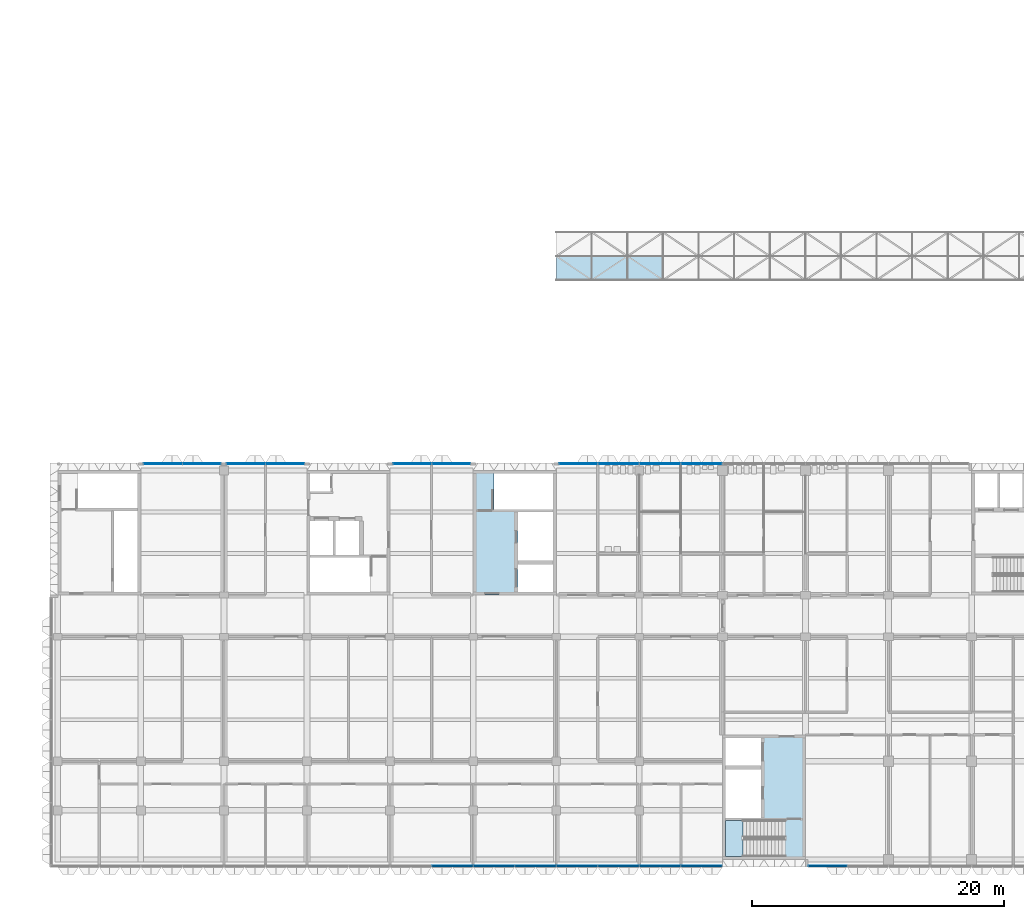
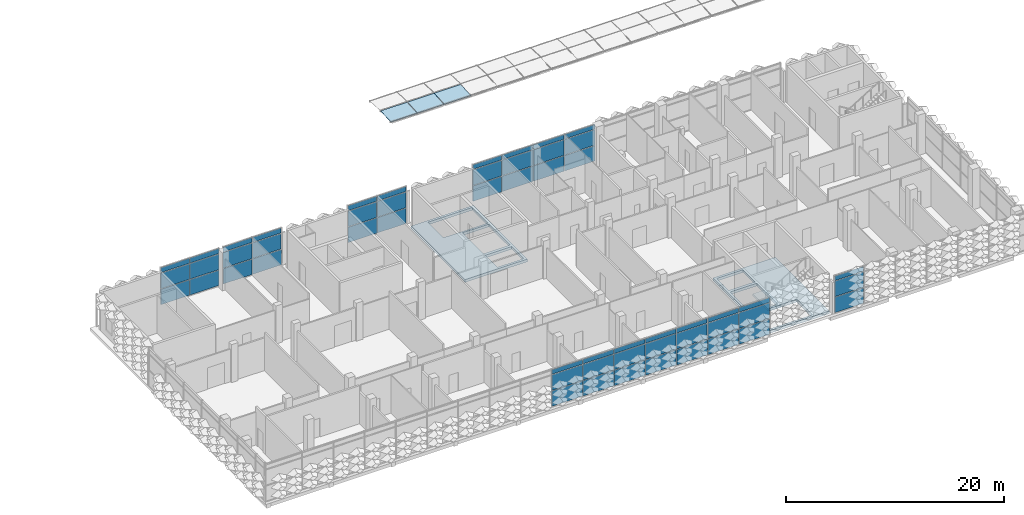
# One storey, part 15 of 61: 57 plates, 3 slabs, 7 elements without a shape of their own.
"""IFC4 building model written with IfcOpenShell, lengths in metres."""

from ifc_helpers import new_model, si_unit, direction, frame, origin, origin_2d, place, context, subcontext, project, spatial, polyline, rectangle, outline, extrude, material, layer, layer_set, type_object, element, aggregate, save


model = new_model("IFC4")

# Units and contexts
model_context = context("Model", 3, precision=1e-05, world=origin(), true_north=direction((0.0, 1.0)))
body_context = subcontext(model_context, "Body", "Model", "MODEL_VIEW")
ifc_project = project(units=[si_unit("LENGTHUNIT", "METRE"), si_unit("AREAUNIT", "SQUARE_METRE"), si_unit("VOLUMEUNIT", "CUBIC_METRE"), si_unit("PLANEANGLEUNIT", "RADIAN"), si_unit("MASSUNIT", "GRAM", prefix="KILO")], contexts=[model_context])

# Site, building, storey
site_placement = place(None, origin())
site = spatial("IfcSite", under=ifc_project, at=site_placement, CompositionType="ELEMENT")
building_placement = place(site_placement, origin())
building = spatial("IfcBuilding", under=site, at=building_placement, Name="Lantern Court Research Institute", CompositionType="ELEMENT")
storey_placement = place(building_placement, frame((0.0, 0.0, 23.39990234375)))
storey = spatial("IfcBuildingStorey", under=building, at=storey_placement, Name="L05", CompositionType="ELEMENT", Elevation=23.39990234375)

# Plates
ifc_material_1 = material(Name="Laminated low-emissivity glass", Category="glass")
ifc_layer_1 = layer(ifc_material_1, 0.035888671875)
ifc_layer_set_1 = layer_set([ifc_layer_1], Name="Laminated low-emissivity glass")
plate_type_1 = type_object("IfcPlateType", Name="Gridshell roof glazing panel 36", PredefinedType="SHEET", material=ifc_layer_set_1)
plate_1_placement = place(storey_placement, frame((42.41845703125, 38.233154296875, 0.140869140625), z_axis=(0.0, -0.050319241088, 0.998733184578), x_axis=(-1.0, 0.0, 0.0)))
element("IfcPlate", 1, at=plate_1_placement, inside=storey, type_object=plate_type_1, Name="Roof glazing panel", PredefinedType="SHEET", context=body_context, shape_type="SweptSolid", body=[
    extrude(outline(polyline([(0.0, 0.0), (2.808349609375, 0.0), (2.808349609375, -1.8825117480404108), (0.0, -1.8825117480404108), (0.0, 0.0)])), origin(), (0.0, 0.0, -1.0), 0.035888671875),
])
for number, where, z_axis, x_axis, name in (
    (2, (45.2470703125, 38.233154296875, 0.140869140625), (0.0, -0.050319241088, 0.998733184578), (-1.0, 0.0, 0.0), "Roof glazing panel"),
    (3, (48.07568359375, 38.233154296875, 0.140869140625), (0.0, -0.050319241088, 0.998733184578), (-1.0, 0.0, 0.0), "Roof glazing panel"),
):
    element("IfcPlate", number, at=place(storey_placement, frame(where, z_axis=z_axis, x_axis=x_axis)), inside=storey, type_object=plate_type_1, Name=name, PredefinedType="SHEET", context=body_context, shape_type="SweptSolid", body=[
        extrude(outline(polyline([(0.0, 0.0), (2.80859375, 0.0), (2.80859375, -1.8825117480404105), (0.0, -1.8825117480404105), (0.0, 0.0)])), origin(), (0.0, 0.0, -1.0), 0.035888671875),
    ])

# Curtain wall, plates
ifc_material_2 = material(Name="Aluminium alloy 6063-T6", Category="aluminium")
curtain_wall_type_1 = type_object("IfcCurtainWallType", Name="Curtain wall 53400 x 4200 x 150 aluminium frame", PredefinedType="NOTDEFINED", material=ifc_material_2)
curtain_wall_1_placement = place(storey_placement, origin())
curtain_wall_1 = element("IfcCurtainWall", 4, at=curtain_wall_1_placement, inside=storey, type_object=curtain_wall_type_1, Name="Curtain wall CW072", PredefinedType="NOTDEFINED")
ifc_material_3 = material(Name="Insulated aluminium spandrel panel", Category="aluminium")
ifc_layer_2 = layer(ifc_material_3, 0.10009765625)
ifc_layer_set_2 = layer_set([ifc_layer_2], Name="Insulated aluminium spandrel panel")
plate_type_2 = type_object("IfcPlateType", Name="Insulated spandrel panel 100 mm for south sun", PredefinedType="CURTAIN_PANEL", material=ifc_layer_set_2)
plate_2_placement = place(storey_placement, frame((31.35009765625, -8.324951171875, 0.06005859375), z_axis=(0.0, 0.0, 1.0), x_axis=(-1.0, 0.0, 0.0)))
plate_2 = element("IfcPlate", 5, at=plate_2_placement, type_object=plate_type_2, Name="CW072 spandrel panel 10.1", PredefinedType="CURTAIN_PANEL", context=body_context, shape_type="SweptSolid", body=[
    extrude(rectangle(XDim=3.239990234375, YDim=0.10009765625, at=origin_2d()), origin(), (0.0, 0.0, 1.0), 1.7099609375),
])
plate_3_placement = place(storey_placement, frame((34.64990234375, -8.324951171875, 0.06005859375), z_axis=(0.0, 0.0, 1.0), x_axis=(-1.0, 0.0, 0.0)))
plate_3 = element("IfcPlate", 6, at=plate_3_placement, type_object=plate_type_2, Name="CW072 spandrel panel 11.1", PredefinedType="CURTAIN_PANEL", context=body_context, shape_type="SweptSolid", body=[
    extrude(rectangle(XDim=3.239990234375, YDim=0.10009765625, at=origin_2d()), origin(), (0.0, 0.0, 1.0), 1.7099609375),
])
plate_4_placement = place(storey_placement, frame((37.949951171875, -8.324951171875, 0.06005859375), z_axis=(0.0, 0.0, 1.0), x_axis=(-1.0, 0.0, 0.0)))
plate_4 = element("IfcPlate", 7, at=plate_4_placement, type_object=plate_type_2, Name="CW072 spandrel panel 12.1", PredefinedType="CURTAIN_PANEL", context=body_context, shape_type="SweptSolid", body=[
    extrude(rectangle(XDim=3.239990234375, YDim=0.10009765625, at=origin_2d()), origin(), (0.0, 0.0, 1.0), 1.7099609375),
])
plate_5_placement = place(storey_placement, frame((41.25, -8.324951171875, 0.06005859375), z_axis=(0.0, 0.0, 1.0), x_axis=(-1.0, 0.0, 0.0)))
plate_5 = element("IfcPlate", 8, at=plate_5_placement, type_object=plate_type_2, Name="CW072 spandrel panel 13.1", PredefinedType="CURTAIN_PANEL", context=body_context, shape_type="SweptSolid", body=[
    extrude(rectangle(XDim=3.239990234375, YDim=0.10009765625, at=origin_2d()), origin(), (0.0, 0.0, 1.0), 1.7099609375),
])
plate_6_placement = place(storey_placement, frame((44.550048828125, -8.324951171875, 0.06005859375), z_axis=(0.0, 0.0, 1.0), x_axis=(-1.0, 0.0, 0.0)))
plate_6 = element("IfcPlate", 9, at=plate_6_placement, type_object=plate_type_2, Name="CW072 spandrel panel 14.1", PredefinedType="CURTAIN_PANEL", context=body_context, shape_type="SweptSolid", body=[
    extrude(rectangle(XDim=3.239990234375, YDim=0.10009765625, at=origin_2d()), origin(), (0.0, 0.0, 1.0), 1.7099609375),
])
plate_7_placement = place(storey_placement, frame((47.85009765625, -8.324951171875, 0.06005859375), z_axis=(0.0, 0.0, 1.0), x_axis=(-1.0, 0.0, 0.0)))
plate_7 = element("IfcPlate", 10, at=plate_7_placement, type_object=plate_type_2, Name="CW072 spandrel panel 15.1", PredefinedType="CURTAIN_PANEL", context=body_context, shape_type="SweptSolid", body=[
    extrude(rectangle(XDim=3.239990234375, YDim=0.10009765625, at=origin_2d()), origin(), (0.0, 0.0, 1.0), 1.7099609375),
])
plate_8_placement = place(storey_placement, frame((51.135009765625, -8.324951171875, 0.06005859375), z_axis=(0.0, 0.0, 1.0), x_axis=(-1.0, 0.0, 0.0)))
plate_8 = element("IfcPlate", 11, at=plate_8_placement, type_object=plate_type_2, Name="CW072 spandrel panel 16.1", PredefinedType="CURTAIN_PANEL", context=body_context, shape_type="SweptSolid", body=[
    extrude(rectangle(XDim=3.2099609375, YDim=0.10009765625, at=origin_2d()), origin(), (0.0, 0.0, 1.0), 1.7099609375),
])

# Curtain wall, plate
ifc_material_4 = material(Name="Aluminium alloy 6063-T6", Category="aluminium")
curtain_wall_type_2 = type_object("IfcCurtainWallType", Name="Curtain wall 20200 x 4200 x 150 aluminium frame", PredefinedType="NOTDEFINED", material=ifc_material_4)
curtain_wall_2_placement = place(storey_placement, origin())
curtain_wall_2 = element("IfcCurtainWall", 12, at=curtain_wall_2_placement, inside=storey, type_object=curtain_wall_type_2, Name="Curtain wall CW076", PredefinedType="NOTDEFINED")
plate_9_placement = place(storey_placement, frame((61.1650390625, -8.324951171875, 0.06005859375), z_axis=(0.0, 0.0, 1.0), x_axis=(-1.0, 0.0, 0.0)))
plate_9 = element("IfcPlate", 13, at=plate_9_placement, type_object=plate_type_2, Name="CW076 spandrel panel 1.1", PredefinedType="CURTAIN_PANEL", context=body_context, shape_type="SweptSolid", body=[
    extrude(rectangle(XDim=3.010009765625, YDim=0.10009765625, at=origin_2d()), origin(), (0.0, 0.0, 1.0), 1.7099609375),
])

# Curtain wall, plates
ifc_material_5 = material(Name="Aluminium alloy 6063-T6", Category="aluminium")
curtain_wall_type_3 = type_object("IfcCurtainWallType", Name="Curtain wall 6250 x 4250 x 150 aluminium frame", PredefinedType="NOTDEFINED", material=ifc_material_5)
curtain_wall_3_placement = place(storey_placement, origin())
curtain_wall_3 = element("IfcCurtainWall", 14, at=curtain_wall_3_placement, inside=storey, type_object=curtain_wall_type_3, Name="Curtain wall CW068", PredefinedType="NOTDEFINED")
ifc_material_6 = material(Name="Insulated aluminium spandrel panel", Category="aluminium")
ifc_layer_3 = layer(ifc_material_6, 0.06005859375)
ifc_layer_set_3 = layer_set([ifc_layer_3], Name="Insulated aluminium spandrel panel")
plate_type_3 = type_object("IfcPlateType", Name="Insulated spandrel panel 60 mm", PredefinedType="CURTAIN_PANEL", material=ifc_layer_set_3)
plate_10_placement = place(storey_placement, frame((8.3525390625, 23.625, 0.06005859375), z_axis=(0.0, 0.0, 1.0), x_axis=(1.0, 0.0, 0.0)))
plate_10 = element("IfcPlate", 15, at=plate_10_placement, type_object=plate_type_3, Name="CW068 spandrel panel 1.1", PredefinedType="CURTAIN_PANEL", context=body_context, shape_type="SweptSolid", body=[
    extrude(rectangle(XDim=3.034912109375, YDim=0.06005859375, at=origin_2d()), origin(), (0.0, 0.0, 1.0), 1.7099609375),
])
plate_11_placement = place(storey_placement, frame((11.447509765625, 23.625, 0.06005859375), z_axis=(0.0, 0.0, 1.0), x_axis=(1.0, 0.0, 0.0)))
plate_11 = element("IfcPlate", 16, at=plate_11_placement, type_object=plate_type_3, Name="CW068 spandrel panel 2.1", PredefinedType="CURTAIN_PANEL", context=body_context, shape_type="SweptSolid", body=[
    extrude(rectangle(XDim=3.034912109375, YDim=0.06005859375, at=origin_2d()), origin(), (0.0, 0.0, 1.0), 1.7099609375),
])

curtain_wall_4_placement = place(storey_placement, origin())
curtain_wall_4 = element("IfcCurtainWall", 17, at=curtain_wall_4_placement, inside=storey, type_object=curtain_wall_type_3, Name="Curtain wall CW069", PredefinedType="NOTDEFINED")
plate_12_placement = place(storey_placement, frame((14.952392578125, 23.625, 0.06005859375), z_axis=(0.0, 0.0, 1.0), x_axis=(1.0, 0.0, 0.0)))
plate_12 = element("IfcPlate", 18, at=plate_12_placement, type_object=plate_type_3, Name="CW069 spandrel panel 1.1", PredefinedType="CURTAIN_PANEL", context=body_context, shape_type="SweptSolid", body=[
    extrude(rectangle(XDim=3.034912109375, YDim=0.06005859375, at=origin_2d()), origin(), (0.0, 0.0, 1.0), 1.7099609375),
])
plate_13_placement = place(storey_placement, frame((18.047607421875, 23.625, 0.06005859375), z_axis=(0.0, 0.0, 1.0), x_axis=(1.0, 0.0, 0.0)))
plate_13 = element("IfcPlate", 19, at=plate_13_placement, type_object=plate_type_3, Name="CW069 spandrel panel 2.1", PredefinedType="CURTAIN_PANEL", context=body_context, shape_type="SweptSolid", body=[
    extrude(rectangle(XDim=3.034912109375, YDim=0.06005859375, at=origin_2d()), origin(), (0.0, 0.0, 1.0), 1.7099609375),
])

curtain_wall_5_placement = place(storey_placement, origin())
curtain_wall_5 = element("IfcCurtainWall", 20, at=curtain_wall_5_placement, inside=storey, type_object=curtain_wall_type_3, Name="Curtain wall CW070", PredefinedType="NOTDEFINED")
plate_14_placement = place(storey_placement, frame((28.152587890625, 23.625, 0.06005859375), z_axis=(0.0, 0.0, 1.0), x_axis=(1.0, 0.0, 0.0)))
plate_14 = element("IfcPlate", 21, at=plate_14_placement, type_object=plate_type_3, Name="CW070 spandrel panel 1.1", PredefinedType="CURTAIN_PANEL", context=body_context, shape_type="SweptSolid", body=[
    extrude(rectangle(XDim=3.034912109375, YDim=0.06005859375, at=origin_2d()), origin(), (0.0, 0.0, 1.0), 1.7099609375),
])
plate_15_placement = place(storey_placement, frame((31.24755859375, 23.625, 0.06005859375), z_axis=(0.0, 0.0, 1.0), x_axis=(1.0, 0.0, 0.0)))
plate_15 = element("IfcPlate", 22, at=plate_15_placement, type_object=plate_type_3, Name="CW070 spandrel panel 2.1", PredefinedType="CURTAIN_PANEL", context=body_context, shape_type="SweptSolid", body=[
    extrude(rectangle(XDim=3.034912109375, YDim=0.06005859375, at=origin_2d()), origin(), (0.0, 0.0, 1.0), 1.7099609375),
])

ifc_material_7 = material(Name="Aluminium alloy 6063-T6", Category="aluminium")
curtain_wall_type_4 = type_object("IfcCurtainWallType", Name="Curtain wall 13025 x 4200 x 150 aluminium frame", PredefinedType="NOTDEFINED", material=ifc_material_7)
curtain_wall_6_placement = place(storey_placement, origin())
curtain_wall_6 = element("IfcCurtainWall", 23, at=curtain_wall_6_placement, inside=storey, type_object=curtain_wall_type_4, Name="Curtain wall CW071", PredefinedType="NOTDEFINED")
plate_16_placement = place(storey_placement, frame((41.3525390625, 23.625, 0.06005859375), z_axis=(0.0, 0.0, 1.0), x_axis=(1.0, 0.0, 0.0)))
plate_16 = element("IfcPlate", 24, at=plate_16_placement, type_object=plate_type_3, Name="CW071 spandrel panel 1.1", PredefinedType="CURTAIN_PANEL", context=body_context, shape_type="SweptSolid", body=[
    extrude(rectangle(XDim=3.034912109375, YDim=0.06005859375, at=origin_2d()), origin(), (0.0, 0.0, 1.0), 1.7099609375),
])
plate_17_placement = place(storey_placement, frame((44.550048828125, 23.625, 0.06005859375), z_axis=(0.0, 0.0, 1.0), x_axis=(1.0, 0.0, 0.0)))
plate_17 = element("IfcPlate", 25, at=plate_17_placement, type_object=plate_type_3, Name="CW071 spandrel panel 2.1", PredefinedType="CURTAIN_PANEL", context=body_context, shape_type="SweptSolid", body=[
    extrude(rectangle(XDim=3.239990234375, YDim=0.06005859375, at=origin_2d()), origin(), (0.0, 0.0, 1.0), 1.7099609375),
])
plate_18_placement = place(storey_placement, frame((47.85009765625, 23.625, 0.06005859375), z_axis=(0.0, 0.0, 1.0), x_axis=(1.0, 0.0, 0.0)))
plate_18 = element("IfcPlate", 26, at=plate_18_placement, type_object=plate_type_3, Name="CW071 spandrel panel 3.1", PredefinedType="CURTAIN_PANEL", context=body_context, shape_type="SweptSolid", body=[
    extrude(rectangle(XDim=3.239990234375, YDim=0.06005859375, at=origin_2d()), origin(), (0.0, 0.0, 1.0), 1.7099609375),
])
plate_19_placement = place(storey_placement, frame((51.135009765625, 23.625, 0.06005859375), z_axis=(0.0, 0.0, 1.0), x_axis=(1.0, 0.0, 0.0)))
plate_19 = element("IfcPlate", 27, at=plate_19_placement, type_object=plate_type_3, Name="CW071 spandrel panel 4.1", PredefinedType="CURTAIN_PANEL", context=body_context, shape_type="SweptSolid", body=[
    extrude(rectangle(XDim=3.2099609375, YDim=0.06005859375, at=origin_2d()), origin(), (0.0, 0.0, 1.0), 1.7099609375),
])

# Plate
ifc_material_8 = material(Name="Laminated low-emissivity glass", Category="glass")
ifc_layer_4 = layer(ifc_material_8, 0.028076171875)
ifc_layer_set_4 = layer_set([ifc_layer_4], Name="Laminated low-emissivity glass")
plate_type_4 = type_object("IfcPlateType", Name="Laminated low-emissivity unit 28 mm", PredefinedType="CURTAIN_PANEL", material=ifc_layer_set_4)
plate_20_placement = place(storey_placement, frame((8.3525390625, 23.625, 1.830078125), z_axis=(0.0, 0.0, 1.0), x_axis=(1.0, 0.0, 0.0)))
plate_20 = element("IfcPlate", 28, at=plate_20_placement, type_object=plate_type_4, Name="CW068 glazed panel 1.2", PredefinedType="CURTAIN_PANEL", context=body_context, shape_type="SweptSolid", body=[
    extrude(rectangle(XDim=3.034912109375, YDim=0.028076171875, at=origin_2d()), origin(), (0.0, 0.0, 1.0), 1.739990234375),
])

plate_21_placement = place(storey_placement, frame((8.3525390625, 23.625, 3.630126953125), z_axis=(0.0, 0.0, 1.0), x_axis=(1.0, 0.0, 0.0)))
plate_21 = element("IfcPlate", 29, at=plate_21_placement, type_object=plate_type_4, Name="CW068 glazed panel 1.3", PredefinedType="CURTAIN_PANEL", context=body_context, shape_type="SweptSolid", body=[
    extrude(rectangle(XDim=3.034912109375, YDim=0.028076171875, at=origin_2d()), origin(), (0.0, 0.0, 1.0), 0.56005859375),
])

plate_22_placement = place(storey_placement, frame((11.447509765625, 23.625, 1.830078125), z_axis=(0.0, 0.0, 1.0), x_axis=(1.0, 0.0, 0.0)))
plate_22 = element("IfcPlate", 30, at=plate_22_placement, type_object=plate_type_4, Name="CW068 glazed panel 2.2", PredefinedType="CURTAIN_PANEL", context=body_context, shape_type="SweptSolid", body=[
    extrude(rectangle(XDim=3.034912109375, YDim=0.028076171875, at=origin_2d()), origin(), (0.0, 0.0, 1.0), 1.739990234375),
])

plate_23_placement = place(storey_placement, frame((11.447509765625, 23.625, 3.630126953125), z_axis=(0.0, 0.0, 1.0), x_axis=(1.0, 0.0, 0.0)))
plate_23 = element("IfcPlate", 31, at=plate_23_placement, type_object=plate_type_4, Name="CW068 glazed panel 2.3", PredefinedType="CURTAIN_PANEL", context=body_context, shape_type="SweptSolid", body=[
    extrude(rectangle(XDim=3.034912109375, YDim=0.028076171875, at=origin_2d()), origin(), (0.0, 0.0, 1.0), 0.56005859375),
])

aggregate(curtain_wall_3, [plate_10, plate_20, plate_21, plate_11, plate_22, plate_23])

plate_24_placement = place(storey_placement, frame((14.952392578125, 23.625, 1.830078125), z_axis=(0.0, 0.0, 1.0), x_axis=(1.0, 0.0, 0.0)))
plate_24 = element("IfcPlate", 32, at=plate_24_placement, type_object=plate_type_4, Name="CW069 glazed panel 1.2", PredefinedType="CURTAIN_PANEL", context=body_context, shape_type="SweptSolid", body=[
    extrude(rectangle(XDim=3.034912109375, YDim=0.028076171875, at=origin_2d()), origin(), (0.0, 0.0, 1.0), 1.739990234375),
])

plate_25_placement = place(storey_placement, frame((14.952392578125, 23.625, 3.630126953125), z_axis=(0.0, 0.0, 1.0), x_axis=(1.0, 0.0, 0.0)))
plate_25 = element("IfcPlate", 33, at=plate_25_placement, type_object=plate_type_4, Name="CW069 glazed panel 1.3", PredefinedType="CURTAIN_PANEL", context=body_context, shape_type="SweptSolid", body=[
    extrude(rectangle(XDim=3.034912109375, YDim=0.028076171875, at=origin_2d()), origin(), (0.0, 0.0, 1.0), 0.56005859375),
])

plate_26_placement = place(storey_placement, frame((18.047607421875, 23.625, 1.830078125), z_axis=(0.0, 0.0, 1.0), x_axis=(1.0, 0.0, 0.0)))
plate_26 = element("IfcPlate", 34, at=plate_26_placement, type_object=plate_type_4, Name="CW069 glazed panel 2.2", PredefinedType="CURTAIN_PANEL", context=body_context, shape_type="SweptSolid", body=[
    extrude(rectangle(XDim=3.034912109375, YDim=0.028076171875, at=origin_2d()), origin(), (0.0, 0.0, 1.0), 1.739990234375),
])

plate_27_placement = place(storey_placement, frame((18.047607421875, 23.625, 3.630126953125), z_axis=(0.0, 0.0, 1.0), x_axis=(1.0, 0.0, 0.0)))
plate_27 = element("IfcPlate", 35, at=plate_27_placement, type_object=plate_type_4, Name="CW069 glazed panel 2.3", PredefinedType="CURTAIN_PANEL", context=body_context, shape_type="SweptSolid", body=[
    extrude(rectangle(XDim=3.034912109375, YDim=0.028076171875, at=origin_2d()), origin(), (0.0, 0.0, 1.0), 0.56005859375),
])

aggregate(curtain_wall_4, [plate_12, plate_24, plate_25, plate_13, plate_26, plate_27])

plate_28_placement = place(storey_placement, frame((28.152587890625, 23.625, 1.830078125), z_axis=(0.0, 0.0, 1.0), x_axis=(1.0, 0.0, 0.0)))
plate_28 = element("IfcPlate", 36, at=plate_28_placement, type_object=plate_type_4, Name="CW070 glazed panel 1.2", PredefinedType="CURTAIN_PANEL", context=body_context, shape_type="SweptSolid", body=[
    extrude(rectangle(XDim=3.034912109375, YDim=0.028076171875, at=origin_2d()), origin(), (0.0, 0.0, 1.0), 1.739990234375),
])

plate_29_placement = place(storey_placement, frame((28.152587890625, 23.625, 3.630126953125), z_axis=(0.0, 0.0, 1.0), x_axis=(1.0, 0.0, 0.0)))
plate_29 = element("IfcPlate", 37, at=plate_29_placement, type_object=plate_type_4, Name="CW070 glazed panel 1.3", PredefinedType="CURTAIN_PANEL", context=body_context, shape_type="SweptSolid", body=[
    extrude(rectangle(XDim=3.034912109375, YDim=0.028076171875, at=origin_2d()), origin(), (0.0, 0.0, 1.0), 0.56005859375),
])

plate_30_placement = place(storey_placement, frame((31.24755859375, 23.625, 1.830078125), z_axis=(0.0, 0.0, 1.0), x_axis=(1.0, 0.0, 0.0)))
plate_30 = element("IfcPlate", 38, at=plate_30_placement, type_object=plate_type_4, Name="CW070 glazed panel 2.2", PredefinedType="CURTAIN_PANEL", context=body_context, shape_type="SweptSolid", body=[
    extrude(rectangle(XDim=3.034912109375, YDim=0.028076171875, at=origin_2d()), origin(), (0.0, 0.0, 1.0), 1.739990234375),
])

plate_31_placement = place(storey_placement, frame((31.24755859375, 23.625, 3.630126953125), z_axis=(0.0, 0.0, 1.0), x_axis=(1.0, 0.0, 0.0)))
plate_31 = element("IfcPlate", 39, at=plate_31_placement, type_object=plate_type_4, Name="CW070 glazed panel 2.3", PredefinedType="CURTAIN_PANEL", context=body_context, shape_type="SweptSolid", body=[
    extrude(rectangle(XDim=3.034912109375, YDim=0.028076171875, at=origin_2d()), origin(), (0.0, 0.0, 1.0), 0.56005859375),
])

aggregate(curtain_wall_5, [plate_14, plate_28, plate_29, plate_15, plate_30, plate_31])

plate_32_placement = place(storey_placement, frame((41.3525390625, 23.625, 1.830078125), z_axis=(0.0, 0.0, 1.0), x_axis=(1.0, 0.0, 0.0)))
plate_32 = element("IfcPlate", 40, at=plate_32_placement, type_object=plate_type_4, Name="CW071 glazed panel 1.2", PredefinedType="CURTAIN_PANEL", context=body_context, shape_type="SweptSolid", body=[
    extrude(rectangle(XDim=3.034912109375, YDim=0.028076171875, at=origin_2d()), origin(), (0.0, 0.0, 1.0), 1.739990234375),
])

plate_33_placement = place(storey_placement, frame((41.3525390625, 23.625, 3.6298828125), z_axis=(0.0, 0.0, 1.0), x_axis=(1.0, 0.0, 0.0)))
plate_33 = element("IfcPlate", 41, at=plate_33_placement, type_object=plate_type_4, Name="CW071 glazed panel 1.3", PredefinedType="CURTAIN_PANEL", context=body_context, shape_type="SweptSolid", body=[
    extrude(rectangle(XDim=3.034912109375, YDim=0.028076171875, at=origin_2d()), origin(), (0.0, 0.0, 1.0), 0.510009765625),
])

plate_34_placement = place(storey_placement, frame((44.550048828125, 23.625, 1.830078125), z_axis=(0.0, 0.0, 1.0), x_axis=(1.0, 0.0, 0.0)))
plate_34 = element("IfcPlate", 42, at=plate_34_placement, type_object=plate_type_4, Name="CW071 glazed panel 2.2", PredefinedType="CURTAIN_PANEL", context=body_context, shape_type="SweptSolid", body=[
    extrude(rectangle(XDim=3.239990234375, YDim=0.028076171875, at=origin_2d()), origin(), (0.0, 0.0, 1.0), 1.739990234375),
])

plate_35_placement = place(storey_placement, frame((44.550048828125, 23.625, 3.6298828125), z_axis=(0.0, 0.0, 1.0), x_axis=(1.0, 0.0, 0.0)))
plate_35 = element("IfcPlate", 43, at=plate_35_placement, type_object=plate_type_4, Name="CW071 glazed panel 2.3", PredefinedType="CURTAIN_PANEL", context=body_context, shape_type="SweptSolid", body=[
    extrude(rectangle(XDim=3.239990234375, YDim=0.028076171875, at=origin_2d()), origin(), (0.0, 0.0, 1.0), 0.510009765625),
])

plate_36_placement = place(storey_placement, frame((47.85009765625, 23.625, 1.830078125), z_axis=(0.0, 0.0, 1.0), x_axis=(1.0, 0.0, 0.0)))
plate_36 = element("IfcPlate", 44, at=plate_36_placement, type_object=plate_type_4, Name="CW071 glazed panel 3.2", PredefinedType="CURTAIN_PANEL", context=body_context, shape_type="SweptSolid", body=[
    extrude(rectangle(XDim=3.239990234375, YDim=0.028076171875, at=origin_2d()), origin(), (0.0, 0.0, 1.0), 1.739990234375),
])

plate_37_placement = place(storey_placement, frame((47.85009765625, 23.625, 3.6298828125), z_axis=(0.0, 0.0, 1.0), x_axis=(1.0, 0.0, 0.0)))
plate_37 = element("IfcPlate", 45, at=plate_37_placement, type_object=plate_type_4, Name="CW071 glazed panel 3.3", PredefinedType="CURTAIN_PANEL", context=body_context, shape_type="SweptSolid", body=[
    extrude(rectangle(XDim=3.239990234375, YDim=0.028076171875, at=origin_2d()), origin(), (0.0, 0.0, 1.0), 0.510009765625),
])

plate_38_placement = place(storey_placement, frame((51.135009765625, 23.625, 1.830078125), z_axis=(0.0, 0.0, 1.0), x_axis=(1.0, 0.0, 0.0)))
plate_38 = element("IfcPlate", 46, at=plate_38_placement, type_object=plate_type_4, Name="CW071 glazed panel 4.2", PredefinedType="CURTAIN_PANEL", context=body_context, shape_type="SweptSolid", body=[
    extrude(rectangle(XDim=3.2099609375, YDim=0.028076171875, at=origin_2d()), origin(), (0.0, 0.0, 1.0), 1.739990234375),
])

plate_39_placement = place(storey_placement, frame((51.135009765625, 23.625, 3.6298828125), z_axis=(0.0, 0.0, 1.0), x_axis=(1.0, 0.0, 0.0)))
plate_39 = element("IfcPlate", 47, at=plate_39_placement, type_object=plate_type_4, Name="CW071 glazed panel 4.3", PredefinedType="CURTAIN_PANEL", context=body_context, shape_type="SweptSolid", body=[
    extrude(rectangle(XDim=3.2099609375, YDim=0.028076171875, at=origin_2d()), origin(), (0.0, 0.0, 1.0), 0.510009765625),
])

aggregate(curtain_wall_6, [plate_16, plate_32, plate_33, plate_17, plate_34, plate_35, plate_18, plate_36, plate_37, plate_19, plate_38, plate_39])

# Slabs
ifc_material_9 = material(Name="Concrete C35/45", Category="concrete")
ifc_layer_5 = layer(ifc_material_9, 0.300048828125)
ifc_layer_set_5 = layer_set([ifc_layer_5], Name="Concrete C35/45")
slab_type_1 = type_object("IfcSlabType", Name="RC core floor slab 300", PredefinedType="FLOOR", material=ifc_layer_set_5)
slab_1_placement = place(storey_placement, frame((0.0, 0.0, -0.2998046875)))
element("IfcSlab", 48, at=slab_1_placement, inside=storey, type_object=slab_type_1, Name="Floor of core BC-E", PredefinedType="FLOOR", context=body_context, shape_type="SweptSolid", body=[
    extrude(outline(polyline([(33.0, 13.199951171875), (39.60009765625, 13.199951171875), (39.60009765625, 23.10009765625), (33.0, 23.10009765625), (33.0, 13.199951171875)]), holes=[polyline([(34.64990234375, 20.0), (39.35009765625, 20.0), (39.35009765625, 22.85009765625), (34.64990234375, 22.85009765625), (34.64990234375, 20.0)]), polyline([(36.550048828125, 13.449951171875), (39.35009765625, 13.449951171875), (39.35009765625, 15.64990234375), (36.550048828125, 15.64990234375), (36.550048828125, 13.449951171875)]), polyline([(39.35009765625, 15.949951171875), (36.550048828125, 15.949951171875), (36.550048828125, 19.800048828125), (39.35009765625, 19.800048828125), (39.35009765625, 15.949951171875)])]), origin(), (0.0, 0.0, 1.0), 0.2998046875),
])
slab_2_placement = place(storey_placement, frame((0.0, 0.0, -0.2998046875)))
element("IfcSlab", 49, at=slab_2_placement, inside=storey, type_object=slab_type_1, Name="Floor of core TC-W", PredefinedType="FLOOR", context=body_context, shape_type="SweptSolid", body=[
    extrude(outline(polyline([(52.800048828125, -7.800048828125), (59.39990234375, -7.800048828125), (59.39990234375, 2.10009765625), (52.800048828125, 2.10009765625), (52.800048828125, -7.800048828125)]), holes=[polyline([(57.75, -4.699951171875), (53.050048828125, -4.699951171875), (53.050048828125, -7.550048828125), (57.75, -7.550048828125), (57.75, -4.699951171875)]), polyline([(53.050048828125, -0.35009765625), (55.85009765625, -0.35009765625), (55.85009765625, 1.85009765625), (53.050048828125, 1.85009765625), (53.050048828125, -0.35009765625)]), polyline([(53.050048828125, -0.64990234375), (55.85009765625, -0.64990234375), (55.85009765625, -4.5), (53.050048828125, -4.5), (53.050048828125, -0.64990234375)])]), origin(), (0.0, 0.0, 1.0), 0.2998046875),
])

# Stair, slab
ifc_material_10 = material(Name="Concrete C40/50", Category="concrete")
stair_type = type_object("IfcStairType", Name="RC half-turn stair 1350 wide, 4500 rise, 6100 shaft", PredefinedType="HALF_TURN_STAIR", material=ifc_material_10)
stair_placement = place(storey_placement, origin())
stair = element("IfcStair", 50, at=stair_placement, inside=storey, type_object=stair_type, Name="L05 stair ST-T1", PredefinedType="HALF_TURN_STAIR")
ifc_material_11 = material(Name="Concrete C40/50", Category="concrete")
ifc_layer_6 = layer(ifc_material_11, 0.199951171875)
ifc_layer_set_6 = layer_set([ifc_layer_6], Name="Concrete C40/50")
slab_type_2 = type_object("IfcSlabType", Name="RC stair landing 200", PredefinedType="LANDING", material=ifc_layer_set_6)
slab_3_placement = place(storey_placement, frame((0.0, 0.0, 2.050048828125)))
slab_3 = element("IfcSlab", 51, at=slab_3_placement, type_object=slab_type_2, Name="ST-T1 landing 1", PredefinedType="LANDING", context=body_context, shape_type="SweptSolid", body=[
    extrude(outline(polyline([(54.43994140625, -4.699951171875), (53.050048828125, -4.699951171875), (53.050048828125, -7.550048828125), (54.43994140625, -7.550048828125), (54.43994140625, -4.699951171875)])), origin(), (0.0, 0.0, 1.0), 0.199951171875),
])
aggregate(stair, [slab_3])

# Plate
ifc_material_12 = material(Name="Laminated low-emissivity glass", Category="glass")
ifc_layer_7 = layer(ifc_material_12, 0.035888671875)
ifc_layer_set_7 = layer_set([ifc_layer_7], Name="Laminated low-emissivity glass")
plate_type_5 = type_object("IfcPlateType", Name="Solar control laminated unit 36 mm", PredefinedType="CURTAIN_PANEL", material=ifc_layer_set_7)
plate_40_placement = place(storey_placement, frame((31.35009765625, -8.324951171875, 1.830078125), z_axis=(0.0, 0.0, 1.0), x_axis=(-1.0, 0.0, 0.0)))
plate_40 = element("IfcPlate", 52, at=plate_40_placement, type_object=plate_type_5, Name="CW072 glazed panel 10.2", PredefinedType="CURTAIN_PANEL", context=body_context, shape_type="SweptSolid", body=[
    extrude(rectangle(XDim=3.239990234375, YDim=0.035888671875, at=origin_2d()), origin(), (0.0, 0.0, 1.0), 1.739990234375),
])

plate_41_placement = place(storey_placement, frame((31.35009765625, -8.324951171875, 3.6298828125), z_axis=(0.0, 0.0, 1.0), x_axis=(-1.0, 0.0, 0.0)))
plate_41 = element("IfcPlate", 53, at=plate_41_placement, type_object=plate_type_5, Name="CW072 glazed panel 10.3", PredefinedType="CURTAIN_PANEL", context=body_context, shape_type="SweptSolid", body=[
    extrude(rectangle(XDim=3.239990234375, YDim=0.035888671875, at=origin_2d()), origin(), (0.0, 0.0, 1.0), 0.510009765625),
])

plate_42_placement = place(storey_placement, frame((34.64990234375, -8.324951171875, 1.830078125), z_axis=(0.0, 0.0, 1.0), x_axis=(-1.0, 0.0, 0.0)))
plate_42 = element("IfcPlate", 54, at=plate_42_placement, type_object=plate_type_5, Name="CW072 glazed panel 11.2", PredefinedType="CURTAIN_PANEL", context=body_context, shape_type="SweptSolid", body=[
    extrude(rectangle(XDim=3.239990234375, YDim=0.035888671875, at=origin_2d()), origin(), (0.0, 0.0, 1.0), 1.739990234375),
])

plate_43_placement = place(storey_placement, frame((34.64990234375, -8.324951171875, 3.6298828125), z_axis=(0.0, 0.0, 1.0), x_axis=(-1.0, 0.0, 0.0)))
plate_43 = element("IfcPlate", 55, at=plate_43_placement, type_object=plate_type_5, Name="CW072 glazed panel 11.3", PredefinedType="CURTAIN_PANEL", context=body_context, shape_type="SweptSolid", body=[
    extrude(rectangle(XDim=3.239990234375, YDim=0.035888671875, at=origin_2d()), origin(), (0.0, 0.0, 1.0), 0.510009765625),
])

plate_44_placement = place(storey_placement, frame((37.949951171875, -8.324951171875, 1.830078125), z_axis=(0.0, 0.0, 1.0), x_axis=(-1.0, 0.0, 0.0)))
plate_44 = element("IfcPlate", 56, at=plate_44_placement, type_object=plate_type_5, Name="CW072 glazed panel 12.2", PredefinedType="CURTAIN_PANEL", context=body_context, shape_type="SweptSolid", body=[
    extrude(rectangle(XDim=3.239990234375, YDim=0.035888671875, at=origin_2d()), origin(), (0.0, 0.0, 1.0), 1.739990234375),
])

plate_45_placement = place(storey_placement, frame((37.949951171875, -8.324951171875, 3.6298828125), z_axis=(0.0, 0.0, 1.0), x_axis=(-1.0, 0.0, 0.0)))
plate_45 = element("IfcPlate", 57, at=plate_45_placement, type_object=plate_type_5, Name="CW072 glazed panel 12.3", PredefinedType="CURTAIN_PANEL", context=body_context, shape_type="SweptSolid", body=[
    extrude(rectangle(XDim=3.239990234375, YDim=0.035888671875, at=origin_2d()), origin(), (0.0, 0.0, 1.0), 0.510009765625),
])

plate_46_placement = place(storey_placement, frame((41.25, -8.324951171875, 1.830078125), z_axis=(0.0, 0.0, 1.0), x_axis=(-1.0, 0.0, 0.0)))
plate_46 = element("IfcPlate", 58, at=plate_46_placement, type_object=plate_type_5, Name="CW072 glazed panel 13.2", PredefinedType="CURTAIN_PANEL", context=body_context, shape_type="SweptSolid", body=[
    extrude(rectangle(XDim=3.239990234375, YDim=0.035888671875, at=origin_2d()), origin(), (0.0, 0.0, 1.0), 1.739990234375),
])

plate_47_placement = place(storey_placement, frame((41.25, -8.324951171875, 3.6298828125), z_axis=(0.0, 0.0, 1.0), x_axis=(-1.0, 0.0, 0.0)))
plate_47 = element("IfcPlate", 59, at=plate_47_placement, type_object=plate_type_5, Name="CW072 glazed panel 13.3", PredefinedType="CURTAIN_PANEL", context=body_context, shape_type="SweptSolid", body=[
    extrude(rectangle(XDim=3.239990234375, YDim=0.035888671875, at=origin_2d()), origin(), (0.0, 0.0, 1.0), 0.510009765625),
])

plate_48_placement = place(storey_placement, frame((44.550048828125, -8.324951171875, 1.830078125), z_axis=(0.0, 0.0, 1.0), x_axis=(-1.0, 0.0, 0.0)))
plate_48 = element("IfcPlate", 60, at=plate_48_placement, type_object=plate_type_5, Name="CW072 glazed panel 14.2", PredefinedType="CURTAIN_PANEL", context=body_context, shape_type="SweptSolid", body=[
    extrude(rectangle(XDim=3.239990234375, YDim=0.035888671875, at=origin_2d()), origin(), (0.0, 0.0, 1.0), 1.739990234375),
])

plate_49_placement = place(storey_placement, frame((44.550048828125, -8.324951171875, 3.6298828125), z_axis=(0.0, 0.0, 1.0), x_axis=(-1.0, 0.0, 0.0)))
plate_49 = element("IfcPlate", 61, at=plate_49_placement, type_object=plate_type_5, Name="CW072 glazed panel 14.3", PredefinedType="CURTAIN_PANEL", context=body_context, shape_type="SweptSolid", body=[
    extrude(rectangle(XDim=3.239990234375, YDim=0.035888671875, at=origin_2d()), origin(), (0.0, 0.0, 1.0), 0.510009765625),
])

plate_50_placement = place(storey_placement, frame((47.85009765625, -8.324951171875, 1.830078125), z_axis=(0.0, 0.0, 1.0), x_axis=(-1.0, 0.0, 0.0)))
plate_50 = element("IfcPlate", 62, at=plate_50_placement, type_object=plate_type_5, Name="CW072 glazed panel 15.2", PredefinedType="CURTAIN_PANEL", context=body_context, shape_type="SweptSolid", body=[
    extrude(rectangle(XDim=3.239990234375, YDim=0.035888671875, at=origin_2d()), origin(), (0.0, 0.0, 1.0), 1.739990234375),
])

plate_51_placement = place(storey_placement, frame((47.85009765625, -8.324951171875, 3.6298828125), z_axis=(0.0, 0.0, 1.0), x_axis=(-1.0, 0.0, 0.0)))
plate_51 = element("IfcPlate", 63, at=plate_51_placement, type_object=plate_type_5, Name="CW072 glazed panel 15.3", PredefinedType="CURTAIN_PANEL", context=body_context, shape_type="SweptSolid", body=[
    extrude(rectangle(XDim=3.239990234375, YDim=0.035888671875, at=origin_2d()), origin(), (0.0, 0.0, 1.0), 0.510009765625),
])

plate_52_placement = place(storey_placement, frame((51.135009765625, -8.324951171875, 1.830078125), z_axis=(0.0, 0.0, 1.0), x_axis=(-1.0, 0.0, 0.0)))
plate_52 = element("IfcPlate", 64, at=plate_52_placement, type_object=plate_type_5, Name="CW072 glazed panel 16.2", PredefinedType="CURTAIN_PANEL", context=body_context, shape_type="SweptSolid", body=[
    extrude(rectangle(XDim=3.2099609375, YDim=0.035888671875, at=origin_2d()), origin(), (0.0, 0.0, 1.0), 1.739990234375),
])

plate_53_placement = place(storey_placement, frame((51.135009765625, -8.324951171875, 3.6298828125), z_axis=(0.0, 0.0, 1.0), x_axis=(-1.0, 0.0, 0.0)))
plate_53 = element("IfcPlate", 65, at=plate_53_placement, type_object=plate_type_5, Name="CW072 glazed panel 16.3", PredefinedType="CURTAIN_PANEL", context=body_context, shape_type="SweptSolid", body=[
    extrude(rectangle(XDim=3.2099609375, YDim=0.035888671875, at=origin_2d()), origin(), (0.0, 0.0, 1.0), 0.510009765625),
])

aggregate(curtain_wall_1, [plate_2, plate_40, plate_41, plate_3, plate_42, plate_43, plate_4, plate_44, plate_45, plate_5, plate_46, plate_47, plate_6, plate_48, plate_49, plate_7, plate_50, plate_51, plate_8, plate_52, plate_53])

plate_54_placement = place(storey_placement, frame((61.1650390625, -8.324951171875, 1.830078125), z_axis=(0.0, 0.0, 1.0), x_axis=(-1.0, 0.0, 0.0)))
plate_54 = element("IfcPlate", 66, at=plate_54_placement, type_object=plate_type_5, Name="CW076 glazed panel 1.2", PredefinedType="CURTAIN_PANEL", context=body_context, shape_type="SweptSolid", body=[
    extrude(rectangle(XDim=3.010009765625, YDim=0.035888671875, at=origin_2d()), origin(), (0.0, 0.0, 1.0), 1.739990234375),
])

plate_55_placement = place(storey_placement, frame((61.1650390625, -8.324951171875, 3.6298828125), z_axis=(0.0, 0.0, 1.0), x_axis=(-1.0, 0.0, 0.0)))
plate_55 = element("IfcPlate", 67, at=plate_55_placement, type_object=plate_type_5, Name="CW076 glazed panel 1.3", PredefinedType="CURTAIN_PANEL", context=body_context, shape_type="SweptSolid", body=[
    extrude(rectangle(XDim=3.010009765625, YDim=0.035888671875, at=origin_2d()), origin(), (0.0, 0.0, 1.0), 0.510009765625),
])

aggregate(curtain_wall_2, [plate_9, plate_54, plate_55])

save(model, "model.ifc")
